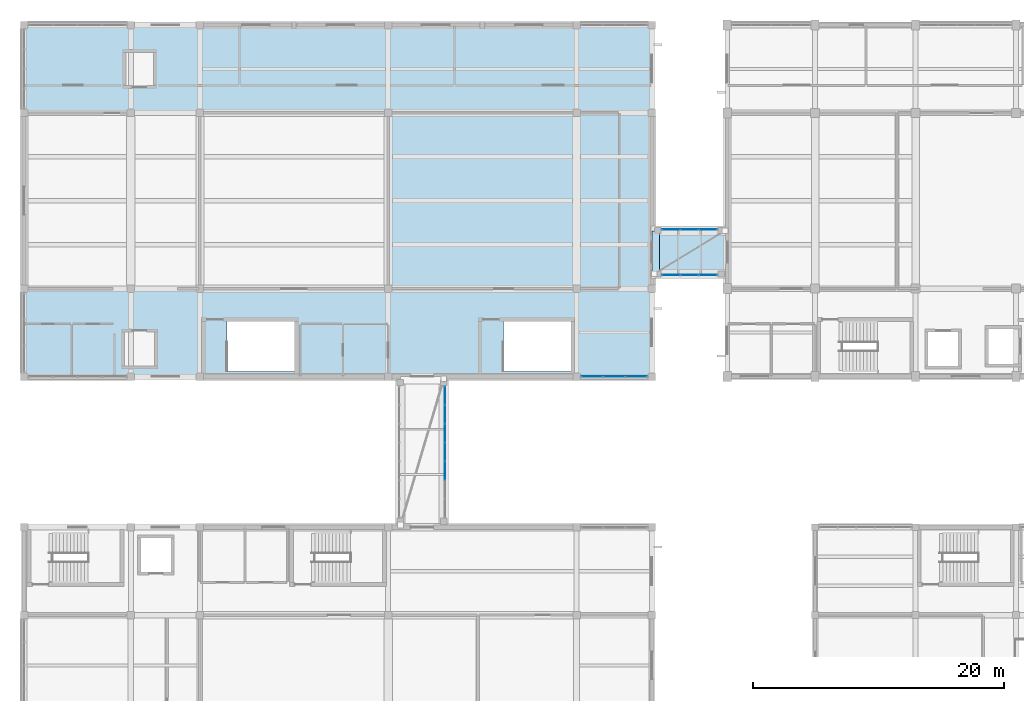
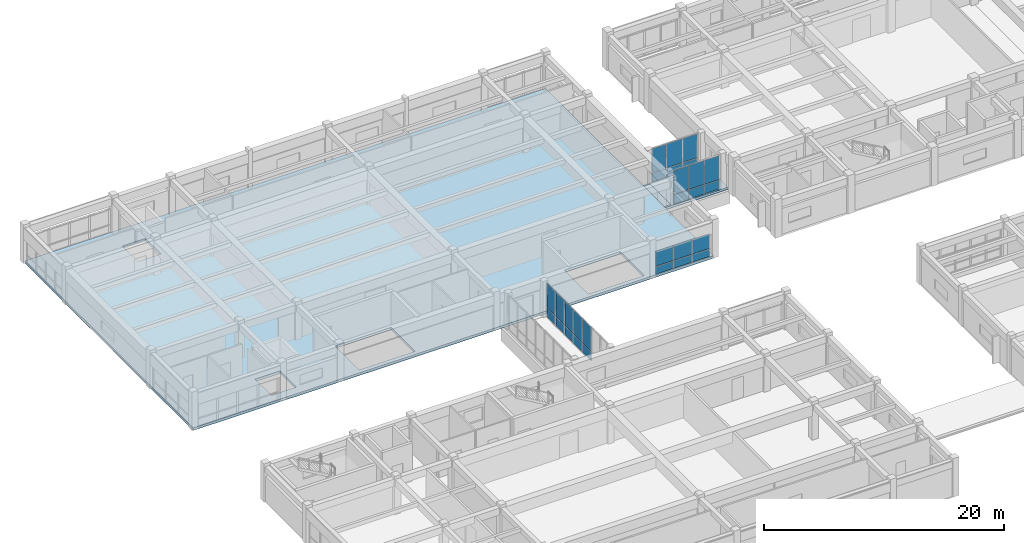
# One storey, part 37 of 66: 29 plates, 2 slabs, 4 elements without a shape of their own.
"""IFC4 building model written with IfcOpenShell, lengths in metres."""

import ifcopenshell
import ifcopenshell.guid

model = None  # the IFC model being written
_history = None  # IfcOwnerHistory: only IFC2X3 demands one
_inside = {}  # id of a spatial element -> (the spatial element, [elements in it])
_under = {}  # id of a project, library or spatial element -> (it, [spatial elements below it])
_declared = {}  # id of a project -> (the project, [libraries it declares])
_typed = {}  # id of a type object -> (the type object, [elements of that type])
_made_of = {}  # id of a material, layer set ... -> (it, [elements and type objects made of it])


def new_model(schema):
    """Start an empty IFC model of exactly this schema.

    Asked for "IFC4X3", IfcOpenShell would pick the latest addendum, in which some entities
    have other attributes; the version numbers below select the first issue.
    IFC2X3 requires an IfcOwnerHistory on every rooted entity: one is made here for all.
    """
    global model, _history
    if schema == "IFC4X3":
        model = ifcopenshell.file(schema_version=(4, 3, 0, 0))
    else:
        model = ifcopenshell.file(schema=schema)
    _inside.clear()
    _under.clear()
    _declared.clear()
    _typed.clear()
    _made_of.clear()
    _history = None
    if model.schema == "IFC2X3":
        org = make("IfcOrganization", Name="unknown")
        user = make(
            "IfcPersonAndOrganization",
            ThePerson=make("IfcPerson", FamilyName="unknown"),
            TheOrganization=org,
        )
        app = make(
            "IfcApplication",
            ApplicationDeveloper=org,
            Version="unknown",
            ApplicationFullName="unknown",
            ApplicationIdentifier="unknown",
        )
        _history = make(
            "IfcOwnerHistory",
            OwningUser=user,
            OwningApplication=app,
            ChangeAction="ADDED",
            CreationDate=0,
        )
    return model


def make(cls, **values):
    """One entity of the class cls with the attributes given. An attribute that is None is left unset."""
    return model.create_entity(
        cls, **{name: value for name, value in values.items() if value is not None}
    )


def rooted(cls, **values):
    """An entity with a GlobalId (a new one), such as an element, a storey or a relation."""
    return make(cls, GlobalId=ifcopenshell.guid.new(), OwnerHistory=_history, **values)


def si_unit(unit_type, name, prefix=None):
    """IfcSIUnit, for example si_unit("LENGTHUNIT", "METRE", prefix="MILLI")."""
    return make("IfcSIUnit", UnitType=unit_type, Prefix=prefix, Name=name)


def assignment(units):
    """IfcUnitAssignment: the units of a project."""
    return None if units is None else make("IfcUnitAssignment", Units=units)


def point(xyz):
    """IfcCartesianPoint."""
    return None if xyz is None else make("IfcCartesianPoint", Coordinates=xyz)


def direction(xyz):
    """IfcDirection."""
    return None if xyz is None else make("IfcDirection", DirectionRatios=xyz)


def frame(location, z_axis=None, x_axis=None):
    """IfcAxis2Placement3D, a coordinate frame: its origin and axes. An axis left out is left unset."""
    return make(
        "IfcAxis2Placement3D",
        Location=point(location),
        Axis=direction(z_axis),
        RefDirection=direction(x_axis),
    )


def frame_2d(location, x_axis=None):
    """IfcAxis2Placement2D, a coordinate frame in the plane: its origin and x axis."""
    return make(
        "IfcAxis2Placement2D", Location=point(location), RefDirection=direction(x_axis)
    )


def origin():
    """The frame at (0, 0, 0) with its axes left unset."""
    return frame((0.0, 0.0, 0.0))


def origin_2d():
    """The frame at (0, 0) in the plane with its x axis left unset."""
    return frame_2d((0.0, 0.0))


def place(relative_to, where):
    """IfcLocalPlacement: puts the frame where relative to a parent placement (None: the world)."""
    return make(
        "IfcLocalPlacement", PlacementRelTo=relative_to, RelativePlacement=where
    )


def context(
    kind, dimensions, precision=None, world=None, true_north=None, identifier=None
):
    """IfcGeometricRepresentationContext, for example the 3D "Model" context."""
    return make(
        "IfcGeometricRepresentationContext",
        ContextIdentifier=identifier,
        ContextType=kind,
        CoordinateSpaceDimension=dimensions,
        Precision=precision,
        WorldCoordinateSystem=world,
        TrueNorth=true_north,
    )


def subcontext(parent, identifier, kind, view, scale=None):
    """IfcGeometricRepresentationSubContext, for example "Body" below "Model"."""
    return make(
        "IfcGeometricRepresentationSubContext",
        ContextIdentifier=identifier,
        ContextType=kind,
        ParentContext=parent,
        TargetScale=scale,
        TargetView=view,
    )


def project(units=None, contexts=None):
    """IfcProject with its units and contexts."""
    return rooted(
        "IfcProject",
        Name="project",
        RepresentationContexts=contexts,
        UnitsInContext=assignment(units),
    )


def spatial(cls, under=None, at=None, **own):
    """A site, building, storey or space (cls), placed at a placement, below another one or the project."""
    s = rooted(cls, ObjectPlacement=at, **own)
    if under is not None:
        _under.setdefault(under.id(), (under, []))[1].append(s)
    return s


def polyline(points):
    """IfcPolyline through the points."""
    return make("IfcPolyline", Points=[point(p) for p in points])


def profile(cls, at=None, kind="AREA", **sizes):
    """A parametric profile (cls). Its sizes go by their IFC names, for example OverallWidth=200.0."""
    return make(cls, ProfileType=kind, Position=at, **sizes)


def rectangle(**sizes):
    """IfcRectangleProfileDef."""
    return profile("IfcRectangleProfileDef", **sizes)


def outline(outer, holes=None, kind="AREA"):
    """IfcArbitraryClosedProfileDef: a profile drawn as a closed curve; with holes, ...WithVoids."""
    if holes is None:
        return make("IfcArbitraryClosedProfileDef", ProfileType=kind, OuterCurve=outer)
    return make(
        "IfcArbitraryProfileDefWithVoids",
        ProfileType=kind,
        OuterCurve=outer,
        InnerCurves=holes,
    )


def extrude(swept, where, along, depth):
    """IfcExtrudedAreaSolid: the profile swept, set in the frame where, extruded along a direction by depth."""
    return make(
        "IfcExtrudedAreaSolid",
        SweptArea=swept,
        Position=where,
        ExtrudedDirection=direction(along),
        Depth=depth,
    )


def shape(context_of_items, identifier, shape_type, items):
    """IfcShapeRepresentation: the items that make up one representation, for example the "Body"."""
    return make(
        "IfcShapeRepresentation",
        ContextOfItems=context_of_items,
        RepresentationIdentifier=identifier,
        RepresentationType=shape_type,
        Items=items,
    )


def material(Name=None, Category=None):
    """IfcMaterial."""
    return make("IfcMaterial", Name=Name, Category=Category)


def layer(
    of_material, thickness, ventilated=None, Name=None, Category=None, Priority=None
):
    """IfcMaterialLayer: one layer of a wall or slab, of a material (None: an air gap)."""
    return make(
        "IfcMaterialLayer",
        Material=of_material,
        LayerThickness=thickness,
        IsVentilated=ventilated,
        Name=Name,
        Category=Category,
        Priority=Priority,
    )


def layer_set(layers, Name=None):
    """IfcMaterialLayerSet."""
    return make("IfcMaterialLayerSet", MaterialLayers=layers, LayerSetName=Name)


def made_of(thing, what):
    """Note that an element or type object is made of a material, layer set ...; save() writes the relation."""
    if what is not None:
        _made_of.setdefault(what.id(), (what, []))[1].append(thing)
    return thing


def type_object(cls, material=None, **own):
    """A type object (cls), such as IfcWallType, which elements share."""
    return made_of(rooted(cls, **own), material)


def element(
    cls,
    number,
    at=None,
    inside=None,
    cuts=None,
    type_object=None,
    material=None,
    context=None,
    identifier="Body",
    shape_type=None,
    held_by="IfcProductDefinitionShape",
    body=None,
    shapes=None,
    **own,
):
    """One element of the class cls, such as IfcWall. Its Tag is "e" and its number.

    at: its placement. inside: the storey or other place that contains it. cuts: it is an
    opening in that element (IfcRelVoidsElement). A single representation is given by context,
    identifier, shape_type and body (its items); several are given by shapes. held_by: the class
    of the entity that holds the representations. save() writes the other relations.
    """
    e = rooted(cls, Tag="e%d" % number, ObjectPlacement=at, **own)
    if body is not None:
        shapes = [shape(context, identifier, shape_type, body)]
    if shapes is not None:
        e.Representation = make(held_by, Representations=shapes)
    if inside is not None:
        _inside.setdefault(inside.id(), (inside, []))[1].append(e)
    if cuts is not None:
        rooted(
            "IfcRelVoidsElement", RelatingBuildingElement=cuts, RelatedOpeningElement=e
        )
    if type_object is not None:
        _typed.setdefault(type_object.id(), (type_object, []))[1].append(e)
    return made_of(e, material)


def aggregate(whole, parts):
    """IfcRelAggregates: a whole, such as a stair, and the parts it consists of."""
    return rooted("IfcRelAggregates", RelatingObject=whole, RelatedObjects=parts)


def save(model, path):
    """Write the relations noted so far, then the file.

    IfcRelAggregates (storeys below a building ...), IfcRelContainedInSpatialStructure (elements
    in a storey), IfcRelDefinesByType, IfcRelAssociatesMaterial and IfcRelDeclares: one each for
    every whole, place, type object, material and project.
    """
    for whole, parts in _under.values():
        aggregate(whole, parts)
    for where, things in _inside.values():
        rooted(
            "IfcRelContainedInSpatialStructure",
            RelatedElements=things,
            RelatingStructure=where,
        )
    for kind, things in _typed.values():
        rooted("IfcRelDefinesByType", RelatedObjects=things, RelatingType=kind)
    for what, things in _made_of.values():
        rooted("IfcRelAssociatesMaterial", RelatedObjects=things, RelatingMaterial=what)
    for by, libraries in _declared.values():
        rooted("IfcRelDeclares", RelatingContext=by, RelatedDefinitions=libraries)
    model.write(path)


model = new_model("IFC4")

# Units and contexts
model_context = context("Model", 3, precision=1e-05, world=origin(), true_north=direction((0.0, 1.0)))
body_context = subcontext(model_context, "Body", "Model", "MODEL_VIEW")
ifc_project = project(units=[si_unit("LENGTHUNIT", "METRE"), si_unit("AREAUNIT", "SQUARE_METRE"), si_unit("VOLUMEUNIT", "CUBIC_METRE"), si_unit("PLANEANGLEUNIT", "RADIAN"), si_unit("MASSUNIT", "GRAM", prefix="KILO")], contexts=[model_context])

# Site, building, storey
site_placement = place(None, origin())
site = spatial("IfcSite", under=ifc_project, at=site_placement, CompositionType="ELEMENT")
building_placement = place(site_placement, origin())
building = spatial("IfcBuilding", under=site, at=building_placement, Name="Naurynzar Civic Courthouse", CompositionType="ELEMENT")
storey_placement = place(building_placement, frame((0.0, 0.0, 14.39990234375)))
storey = spatial("IfcBuildingStorey", under=building, at=storey_placement, Name="L04", CompositionType="ELEMENT", Elevation=14.39990234375)

# Curtain wall, plates
ifc_material_1 = material(Name="Aluminium 6063-T6", Category="aluminium")
ifc_layer_1 = layer(ifc_material_1, 0.14990234375)
ifc_layer_set_1 = layer_set([ifc_layer_1], Name="CW-BRIDGE-1500")
curtain_wall_type_1 = type_object("IfcCurtainWallType", Name="CW-BRIDGE-1500", PredefinedType="USERDEFINED", material=ifc_layer_set_1)
curtain_wall_1_placement = place(storey_placement, origin())
curtain_wall_1 = element("IfcCurtainWall", 1, at=curtain_wall_1_placement, inside=storey, type_object=curtain_wall_type_1, Name="BR-W1 glazed bridge screen L04.2", ObjectType="GLAZED BRIDGE SCREEN", PredefinedType="USERDEFINED")
ifc_material_2 = material(Name="Tempered Laminated Low-E Glass", Category="glass")
ifc_layer_2 = layer(ifc_material_2, 0.031982421875)
ifc_layer_set_2 = layer_set([ifc_layer_2], Name="CWP-IGU-32")
plate_type_1 = type_object("IfcPlateType", Name="CWP-IGU-32", PredefinedType="CURTAIN_PANEL", material=ifc_layer_set_2)
plate_1_placement = place(storey_placement, frame((39.52001953125, 36.5029296875, 0.06005859375), z_axis=(0.0, 0.0, 1.0), x_axis=(0.0, 1.0, 0.0)))
plate_1 = element("IfcPlate", 2, at=plate_1_placement, type_object=plate_type_1, Name="CW-03 panel 3.1", PredefinedType="CURTAIN_PANEL", context=body_context, shape_type="SweptSolid", body=[
    extrude(rectangle(XDim=1.437255859375, YDim=0.031982421875, at=origin_2d()), origin(), (0.0, 0.0, 1.0), 0.909912109375),
])
plate_2_placement = place(storey_placement, frame((39.52001953125, 36.5029296875, 1.0302734375), z_axis=(0.0, 0.0, 1.0), x_axis=(0.0, 1.0, 0.0)))
plate_2 = element("IfcPlate", 3, at=plate_2_placement, type_object=plate_type_1, Name="CW-03 panel 3.2", PredefinedType="CURTAIN_PANEL", context=body_context, shape_type="SweptSolid", body=[
    extrude(rectangle(XDim=1.437255859375, YDim=0.031982421875, at=origin_2d()), origin(), (0.0, 0.0, 1.0), 2.429931640625),
])
plate_3_placement = place(storey_placement, frame((39.52001953125, 38.0, 0.06005859375), z_axis=(0.0, 0.0, 1.0), x_axis=(0.0, 1.0, 0.0)))
plate_3 = element("IfcPlate", 4, at=plate_3_placement, type_object=plate_type_1, Name="CW-03 panel 4.1", PredefinedType="CURTAIN_PANEL", context=body_context, shape_type="SweptSolid", body=[
    extrude(rectangle(XDim=1.437255859375, YDim=0.031982421875, at=origin_2d()), origin(), (0.0, 0.0, 1.0), 0.909912109375),
])
plate_4_placement = place(storey_placement, frame((39.52001953125, 38.0, 1.0302734375), z_axis=(0.0, 0.0, 1.0), x_axis=(0.0, 1.0, 0.0)))
plate_4 = element("IfcPlate", 5, at=plate_4_placement, type_object=plate_type_1, Name="CW-03 panel 4.2", PredefinedType="CURTAIN_PANEL", context=body_context, shape_type="SweptSolid", body=[
    extrude(rectangle(XDim=1.437255859375, YDim=0.031982421875, at=origin_2d()), origin(), (0.0, 0.0, 1.0), 2.429931640625),
])
plate_5_placement = place(storey_placement, frame((39.52001953125, 39.4970703125, 0.06005859375), z_axis=(0.0, 0.0, 1.0), x_axis=(0.0, 1.0, 0.0)))
plate_5 = element("IfcPlate", 6, at=plate_5_placement, type_object=plate_type_1, Name="CW-03 panel 5.1", PredefinedType="CURTAIN_PANEL", context=body_context, shape_type="SweptSolid", body=[
    extrude(rectangle(XDim=1.437255859375, YDim=0.031982421875, at=origin_2d()), origin(), (0.0, 0.0, 1.0), 0.909912109375),
])
plate_6_placement = place(storey_placement, frame((39.52001953125, 39.4970703125, 1.0302734375), z_axis=(0.0, 0.0, 1.0), x_axis=(0.0, 1.0, 0.0)))
plate_6 = element("IfcPlate", 7, at=plate_6_placement, type_object=plate_type_1, Name="CW-03 panel 5.2", PredefinedType="CURTAIN_PANEL", context=body_context, shape_type="SweptSolid", body=[
    extrude(rectangle(XDim=1.437255859375, YDim=0.031982421875, at=origin_2d()), origin(), (0.0, 0.0, 1.0), 2.429931640625),
])
plate_7_placement = place(storey_placement, frame((39.52001953125, 40.994384765625, 0.06005859375), z_axis=(0.0, 0.0, 1.0), x_axis=(0.0, 1.0, 0.0)))
plate_7 = element("IfcPlate", 8, at=plate_7_placement, type_object=plate_type_1, Name="CW-03 panel 6.1", PredefinedType="CURTAIN_PANEL", context=body_context, shape_type="SweptSolid", body=[
    extrude(rectangle(XDim=1.437255859375, YDim=0.031982421875, at=origin_2d()), origin(), (0.0, 0.0, 1.0), 0.909912109375),
])
plate_8_placement = place(storey_placement, frame((39.52001953125, 40.994384765625, 1.0302734375), z_axis=(0.0, 0.0, 1.0), x_axis=(0.0, 1.0, 0.0)))
plate_8 = element("IfcPlate", 9, at=plate_8_placement, type_object=plate_type_1, Name="CW-03 panel 6.2", PredefinedType="CURTAIN_PANEL", context=body_context, shape_type="SweptSolid", body=[
    extrude(rectangle(XDim=1.437255859375, YDim=0.031982421875, at=origin_2d()), origin(), (0.0, 0.0, 1.0), 2.429931640625),
])
plate_9_placement = place(storey_placement, frame((39.52001953125, 42.476318359375, 0.06005859375), z_axis=(0.0, 0.0, 1.0), x_axis=(0.0, 1.0, 0.0)))
plate_9 = element("IfcPlate", 10, at=plate_9_placement, type_object=plate_type_1, Name="CW-03 panel 7.1", PredefinedType="CURTAIN_PANEL", context=body_context, shape_type="SweptSolid", body=[
    extrude(rectangle(XDim=1.4072265625, YDim=0.031982421875, at=origin_2d()), origin(), (0.0, 0.0, 1.0), 0.909912109375),
])
plate_10_placement = place(storey_placement, frame((39.52001953125, 42.476318359375, 1.0302734375), z_axis=(0.0, 0.0, 1.0), x_axis=(0.0, 1.0, 0.0)))
plate_10 = element("IfcPlate", 11, at=plate_10_placement, type_object=plate_type_1, Name="CW-03 panel 7.2", PredefinedType="CURTAIN_PANEL", context=body_context, shape_type="SweptSolid", body=[
    extrude(rectangle(XDim=1.4072265625, YDim=0.031982421875, at=origin_2d()), origin(), (0.0, 0.0, 1.0), 2.429931640625),
])
aggregate(curtain_wall_1, [plate_1, plate_2, plate_3, plate_4, plate_5, plate_6, plate_7, plate_8, plate_9, plate_10])

curtain_wall_2_placement = place(storey_placement, origin())
curtain_wall_2 = element("IfcCurtainWall", 12, at=curtain_wall_2_placement, inside=storey, type_object=curtain_wall_type_1, Name="BR-N1 glazed bridge screen L04.1", ObjectType="GLAZED BRIDGE SCREEN", PredefinedType="USERDEFINED")
plate_11_placement = place(storey_placement, frame((57.521728515625, 52.080078125, 0.06005859375), z_axis=(0.0, 0.0, 1.0), x_axis=(1.0, 0.0, 0.0)))
plate_11 = element("IfcPlate", 13, at=plate_11_placement, type_object=plate_type_1, Name="CW-03 panel 1.1", PredefinedType="CURTAIN_PANEL", context=body_context, shape_type="SweptSolid", body=[
    extrude(rectangle(XDim=1.4033203125, YDim=0.031982421875, at=origin_2d()), origin(), (0.0, 0.0, 1.0), 0.909912109375),
])
plate_12_placement = place(storey_placement, frame((57.521728515625, 52.080078125, 1.0302734375), z_axis=(0.0, 0.0, 1.0), x_axis=(1.0, 0.0, 0.0)))
plate_12 = element("IfcPlate", 14, at=plate_12_placement, type_object=plate_type_1, Name="CW-03 panel 1.2", PredefinedType="CURTAIN_PANEL", context=body_context, shape_type="SweptSolid", body=[
    extrude(rectangle(XDim=1.4033203125, YDim=0.031982421875, at=origin_2d()), origin(), (0.0, 0.0, 1.0), 2.429931640625),
])
plate_13_placement = place(storey_placement, frame((59.0, 52.080078125, 0.06005859375), z_axis=(0.0, 0.0, 1.0), x_axis=(1.0, 0.0, 0.0)))
plate_13 = element("IfcPlate", 15, at=plate_13_placement, type_object=plate_type_1, Name="CW-03 panel 2.1", PredefinedType="CURTAIN_PANEL", context=body_context, shape_type="SweptSolid", body=[
    extrude(rectangle(XDim=1.433349609375, YDim=0.031982421875, at=origin_2d()), origin(), (0.0, 0.0, 1.0), 0.909912109375),
])
plate_14_placement = place(storey_placement, frame((59.0, 52.080078125, 1.0302734375), z_axis=(0.0, 0.0, 1.0), x_axis=(1.0, 0.0, 0.0)))
plate_14 = element("IfcPlate", 16, at=plate_14_placement, type_object=plate_type_1, Name="CW-03 panel 2.2", PredefinedType="CURTAIN_PANEL", context=body_context, shape_type="SweptSolid", body=[
    extrude(rectangle(XDim=1.433349609375, YDim=0.031982421875, at=origin_2d()), origin(), (0.0, 0.0, 1.0), 2.429931640625),
])
plate_15_placement = place(storey_placement, frame((60.478271484375, 52.080078125, 0.06005859375), z_axis=(0.0, 0.0, 1.0), x_axis=(1.0, 0.0, 0.0)))
plate_15 = element("IfcPlate", 17, at=plate_15_placement, type_object=plate_type_1, Name="CW-03 panel 3.1", PredefinedType="CURTAIN_PANEL", context=body_context, shape_type="SweptSolid", body=[
    extrude(rectangle(XDim=1.4033203125, YDim=0.031982421875, at=origin_2d()), origin(), (0.0, 0.0, 1.0), 0.909912109375),
])
plate_16_placement = place(storey_placement, frame((60.478271484375, 52.080078125, 1.0302734375), z_axis=(0.0, 0.0, 1.0), x_axis=(1.0, 0.0, 0.0)))
plate_16 = element("IfcPlate", 18, at=plate_16_placement, type_object=plate_type_1, Name="CW-03 panel 3.2", PredefinedType="CURTAIN_PANEL", context=body_context, shape_type="SweptSolid", body=[
    extrude(rectangle(XDim=1.4033203125, YDim=0.031982421875, at=origin_2d()), origin(), (0.0, 0.0, 1.0), 2.429931640625),
])
aggregate(curtain_wall_2, [plate_11, plate_12, plate_13, plate_14, plate_15, plate_16])

curtain_wall_3_placement = place(storey_placement, origin())
curtain_wall_3 = element("IfcCurtainWall", 19, at=curtain_wall_3_placement, inside=storey, type_object=curtain_wall_type_1, Name="BR-N1 glazed bridge screen L04.2", ObjectType="GLAZED BRIDGE SCREEN", PredefinedType="USERDEFINED")
plate_17_placement = place(storey_placement, frame((60.478271484375, 55.719970703125, 0.06005859375), z_axis=(0.0, 0.0, 1.0), x_axis=(-1.0, 0.0, 0.0)))
plate_17 = element("IfcPlate", 20, at=plate_17_placement, type_object=plate_type_1, Name="CW-03 panel 1.1", PredefinedType="CURTAIN_PANEL", context=body_context, shape_type="SweptSolid", body=[
    extrude(rectangle(XDim=1.4033203125, YDim=0.031982421875, at=origin_2d()), origin(), (0.0, 0.0, 1.0), 0.909912109375),
])
plate_18_placement = place(storey_placement, frame((60.478271484375, 55.719970703125, 1.0302734375), z_axis=(0.0, 0.0, 1.0), x_axis=(-1.0, 0.0, 0.0)))
plate_18 = element("IfcPlate", 21, at=plate_18_placement, type_object=plate_type_1, Name="CW-03 panel 1.2", PredefinedType="CURTAIN_PANEL", context=body_context, shape_type="SweptSolid", body=[
    extrude(rectangle(XDim=1.4033203125, YDim=0.031982421875, at=origin_2d()), origin(), (0.0, 0.0, 1.0), 2.429931640625),
])
plate_19_placement = place(storey_placement, frame((59.0, 55.719970703125, 0.06005859375), z_axis=(0.0, 0.0, 1.0), x_axis=(-1.0, 0.0, 0.0)))
plate_19 = element("IfcPlate", 22, at=plate_19_placement, type_object=plate_type_1, Name="CW-03 panel 2.1", PredefinedType="CURTAIN_PANEL", context=body_context, shape_type="SweptSolid", body=[
    extrude(rectangle(XDim=1.433349609375, YDim=0.031982421875, at=origin_2d()), origin(), (0.0, 0.0, 1.0), 0.909912109375),
])
plate_20_placement = place(storey_placement, frame((59.0, 55.719970703125, 1.0302734375), z_axis=(0.0, 0.0, 1.0), x_axis=(-1.0, 0.0, 0.0)))
plate_20 = element("IfcPlate", 23, at=plate_20_placement, type_object=plate_type_1, Name="CW-03 panel 2.2", PredefinedType="CURTAIN_PANEL", context=body_context, shape_type="SweptSolid", body=[
    extrude(rectangle(XDim=1.433349609375, YDim=0.031982421875, at=origin_2d()), origin(), (0.0, 0.0, 1.0), 2.429931640625),
])
plate_21_placement = place(storey_placement, frame((57.521728515625, 55.719970703125, 0.06005859375), z_axis=(0.0, 0.0, 1.0), x_axis=(-1.0, 0.0, 0.0)))
plate_21 = element("IfcPlate", 24, at=plate_21_placement, type_object=plate_type_1, Name="CW-03 panel 3.1", PredefinedType="CURTAIN_PANEL", context=body_context, shape_type="SweptSolid", body=[
    extrude(rectangle(XDim=1.4033203125, YDim=0.031982421875, at=origin_2d()), origin(), (0.0, 0.0, 1.0), 0.909912109375),
])
plate_22_placement = place(storey_placement, frame((57.521728515625, 55.719970703125, 1.0302734375), z_axis=(0.0, 0.0, 1.0), x_axis=(-1.0, 0.0, 0.0)))
plate_22 = element("IfcPlate", 25, at=plate_22_placement, type_object=plate_type_1, Name="CW-03 panel 3.2", PredefinedType="CURTAIN_PANEL", context=body_context, shape_type="SweptSolid", body=[
    extrude(rectangle(XDim=1.4033203125, YDim=0.031982421875, at=origin_2d()), origin(), (0.0, 0.0, 1.0), 2.429931640625),
])
aggregate(curtain_wall_3, [plate_17, plate_18, plate_19, plate_20, plate_21, plate_22])

ifc_material_3 = material(Name="Aluminium 6063-T6", Category="aluminium")
ifc_layer_3 = layer(ifc_material_3, 0.159912109375)
ifc_layer_set_3 = layer_set([ifc_layer_3], Name="CW-UNIT-1800")
curtain_wall_type_2 = type_object("IfcCurtainWallType", Name="CW-UNIT-1800", PredefinedType="NOTDEFINED", material=ifc_layer_set_3)
curtain_wall_4_placement = place(storey_placement, origin())
curtain_wall_4 = element("IfcCurtainWall", 26, at=curtain_wall_4_placement, inside=storey, type_object=curtain_wall_type_2, Name="V1 unitised curtain wall 17 L04", PredefinedType="NOTDEFINED")
ifc_material_4 = material(Name="Tempered Laminated Low-E Glass", Category="glass")
ifc_layer_4 = layer(ifc_material_4, 0.035888671875)
ifc_layer_set_4 = layer_set([ifc_layer_4], Name="CWP-IGU-36")
plate_type_2 = type_object("IfcPlateType", Name="CWP-IGU-36", PredefinedType="CURTAIN_PANEL", material=ifc_layer_set_4)
plate_23_placement = place(storey_placement, frame((54.749267578125, 44.0, 0.070068359375), z_axis=(0.0, 0.0, 1.0), x_axis=(-1.0, 0.0, 0.0)))
plate_23 = element("IfcPlate", 27, at=plate_23_placement, type_object=plate_type_2, Name="CW-02 panel 1.1", PredefinedType="CURTAIN_PANEL", context=body_context, shape_type="SweptSolid", body=[
    extrude(rectangle(XDim=1.66162109375, YDim=0.035888671875, at=origin_2d()), origin(), (0.0, 0.0, 1.0), 0.7451171875),
])
plate_24_placement = place(storey_placement, frame((54.749267578125, 44.0, 0.88525390625), z_axis=(0.0, 0.0, 1.0), x_axis=(-1.0, 0.0, 0.0)))
plate_24 = element("IfcPlate", 28, at=plate_24_placement, type_object=plate_type_2, Name="CW-02 panel 1.2", PredefinedType="CURTAIN_PANEL", context=body_context, shape_type="SweptSolid", body=[
    extrude(rectangle(XDim=1.66162109375, YDim=0.035888671875, at=origin_2d()), origin(), (0.0, 0.0, 1.0), 1.5048828125),
])
plate_25_placement = place(storey_placement, frame((53.0, 44.0, 0.070068359375), z_axis=(0.0, 0.0, 1.0), x_axis=(-1.0, 0.0, 0.0)))
plate_25 = element("IfcPlate", 29, at=plate_25_placement, type_object=plate_type_2, Name="CW-02 panel 2.1", PredefinedType="CURTAIN_PANEL", context=body_context, shape_type="SweptSolid", body=[
    extrude(rectangle(XDim=1.69677734375, YDim=0.035888671875, at=origin_2d()), origin(), (0.0, 0.0, 1.0), 0.7451171875),
])
plate_26_placement = place(storey_placement, frame((53.0, 44.0, 0.88525390625), z_axis=(0.0, 0.0, 1.0), x_axis=(-1.0, 0.0, 0.0)))
plate_26 = element("IfcPlate", 30, at=plate_26_placement, type_object=plate_type_2, Name="CW-02 panel 2.2", PredefinedType="CURTAIN_PANEL", context=body_context, shape_type="SweptSolid", body=[
    extrude(rectangle(XDim=1.69677734375, YDim=0.035888671875, at=origin_2d()), origin(), (0.0, 0.0, 1.0), 1.5048828125),
])
plate_27_placement = place(storey_placement, frame((51.250732421875, 44.0, 0.070068359375), z_axis=(0.0, 0.0, 1.0), x_axis=(-1.0, 0.0, 0.0)))
plate_27 = element("IfcPlate", 31, at=plate_27_placement, type_object=plate_type_2, Name="CW-02 panel 3.1", PredefinedType="CURTAIN_PANEL", context=body_context, shape_type="SweptSolid", body=[
    extrude(rectangle(XDim=1.66162109375, YDim=0.035888671875, at=origin_2d()), origin(), (0.0, 0.0, 1.0), 0.7451171875),
])
plate_28_placement = place(storey_placement, frame((51.250732421875, 44.0, 0.88525390625), z_axis=(0.0, 0.0, 1.0), x_axis=(-1.0, 0.0, 0.0)))
plate_28 = element("IfcPlate", 32, at=plate_28_placement, type_object=plate_type_2, Name="CW-02 panel 3.2", PredefinedType="CURTAIN_PANEL", context=body_context, shape_type="SweptSolid", body=[
    extrude(rectangle(XDim=1.66162109375, YDim=0.035888671875, at=origin_2d()), origin(), (0.0, 0.0, 1.0), 1.5048828125),
])
aggregate(curtain_wall_4, [plate_23, plate_24, plate_25, plate_26, plate_27, plate_28])

# Plate
ifc_material_5 = material(Name="Brushed Stainless Steel 304", Category="steel")
ifc_layer_5 = layer(ifc_material_5, 0.011962890625)
ifc_layer_set_5 = layer_set([ifc_layer_5], Name="PLT-SEISMIC-COVER-12")
plate_type_3 = type_object("IfcPlateType", Name="PLT-SEISMIC-COVER-12", PredefinedType="SHEET", material=ifc_layer_set_5)
plate_29_placement = place(storey_placement, frame((56.300048828125, 53.89990234375, 0.0), z_axis=(0.0, 0.0, 1.0), x_axis=(1.0, 0.0, 0.0)))
element("IfcPlate", 33, at=plate_29_placement, inside=storey, type_object=plate_type_3, Name="BR-N1 seismic floor joint cover plate L04", PredefinedType="SHEET", context=body_context, shape_type="SweptSolid", body=[
    extrude(rectangle(XDim=0.60009765625, YDim=3.39990234375, at=origin_2d()), origin(), (0.0, 0.0, 1.0), 0.011962890625),
])

# Slabs
ifc_material_6 = material(Name="Concrete C35/45", Category="concrete")
ifc_layer_6 = layer(ifc_material_6, 0.239990234375)
ifc_layer_set_6 = layer_set([ifc_layer_6], Name="SLB-BRG-240")
slab_type_1 = type_object("IfcSlabType", Name="SLB-BRG-240", PredefinedType="FLOOR", material=ifc_layer_set_6)
slab_1_placement = place(storey_placement, frame((0.0, 0.0, -0.239990234375)))
element("IfcSlab", 34, at=slab_1_placement, inside=storey, type_object=slab_type_1, Name="North Ceremonial Seismic Link Passage deck slab L04", PredefinedType="FLOOR", context=body_context, shape_type="SweptSolid", body=[
    extrude(outline(polyline([(56.02001953125, 52.02001953125), (61.97998046875, 52.02001953125), (61.97998046875, 55.780029296875), (56.02001953125, 55.780029296875), (56.02001953125, 52.02001953125)])), origin(), (0.0, 0.0, 1.0), 0.239990234375),
])
ifc_material_7 = material(Name="Concrete C35/45", Category="concrete")
ifc_layer_7 = layer(ifc_material_7, 0.260009765625)
ifc_layer_set_7 = layer_set([ifc_layer_7], Name="SLB-HALL-260")
slab_type_2 = type_object("IfcSlabType", Name="SLB-HALL-260", PredefinedType="FLOOR", material=ifc_layer_set_7)
slab_2_placement = place(storey_placement, frame((0.0, 0.0, -0.260009765625)))
element("IfcSlab", 35, at=slab_2_placement, inside=storey, type_object=slab_type_2, Name="V1 floor slab L04", PredefinedType="FLOOR", context=body_context, shape_type="SweptSolid", body=[
    extrude(outline(polyline([(56.0, 44.0), (56.0, 72.0), (6.0, 72.0), (6.0, 44.0), (56.0, 44.0)]), holes=[polyline([(22.179931640625, 44.39990234375), (27.550048828125, 44.39990234375), (27.550048828125, 48.39990234375), (22.179931640625, 48.39990234375), (22.179931640625, 44.39990234375)]), polyline([(44.179931640625, 44.39990234375), (49.550048828125, 44.39990234375), (49.550048828125, 48.39990234375), (44.179931640625, 48.39990234375), (44.179931640625, 44.39990234375)]), polyline([(14.0, 44.85009765625), (16.39990234375, 44.85009765625), (16.39990234375, 47.550048828125), (14.0, 47.550048828125), (14.0, 44.85009765625)]), polyline([(14.10009765625, 67.199951171875), (16.300048828125, 67.199951171875), (16.300048828125, 69.800048828125), (14.10009765625, 69.800048828125), (14.10009765625, 67.199951171875)])]), origin(), (0.0, 0.0, 1.0), 0.260009765625),
])

save(model, "model.ifc")
